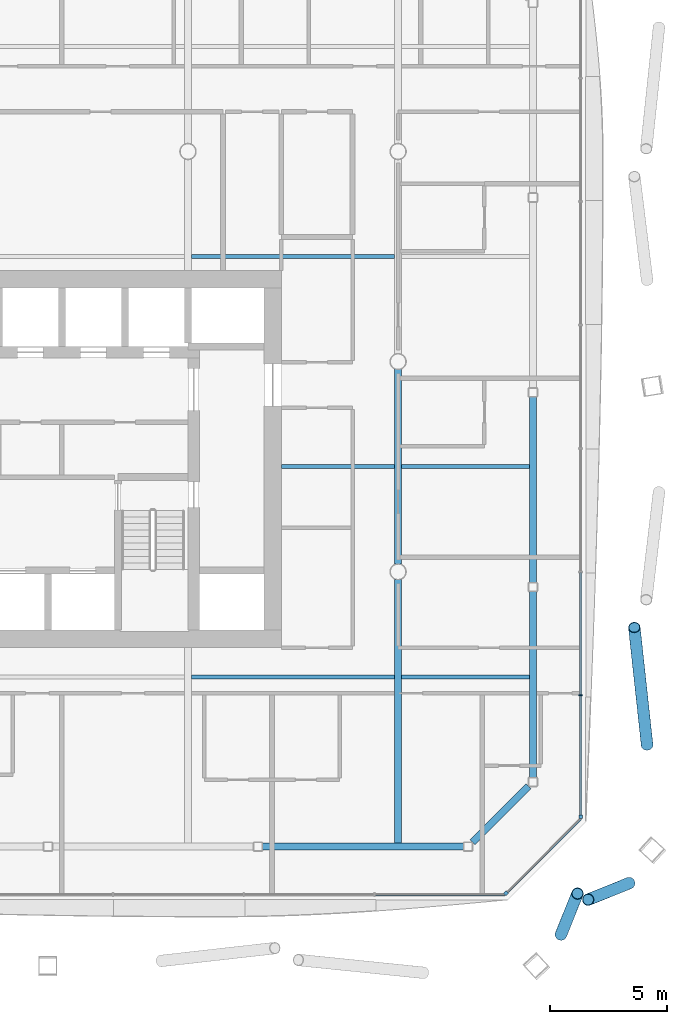
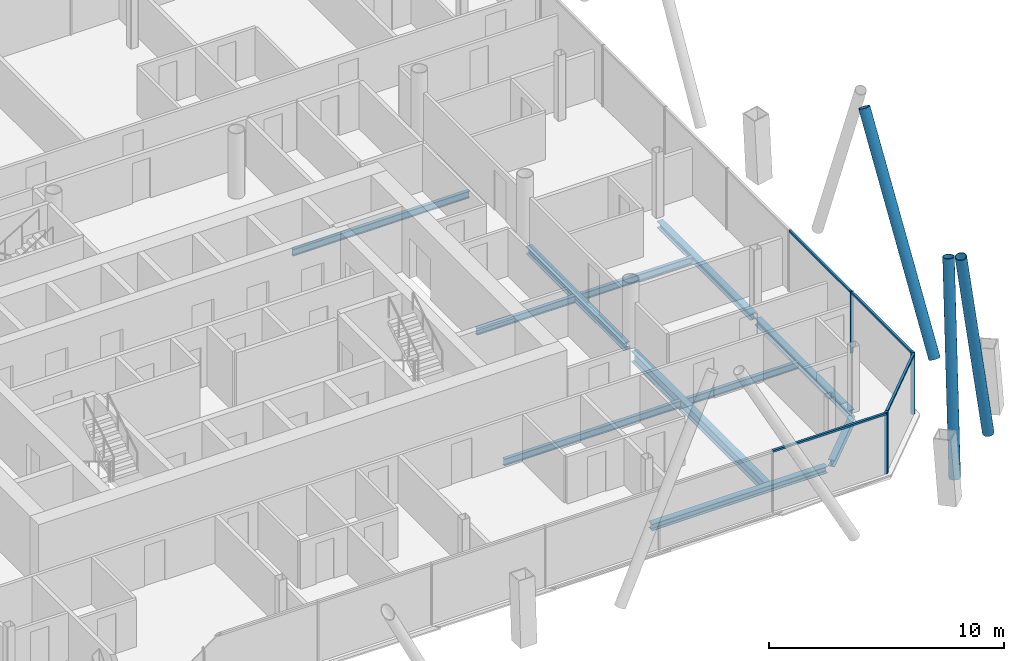
# One storey, part 7 of 23: 11 beams, 10 members, 3 elements without a shape of their own.
"""IFC4 building model written with IfcOpenShell, lengths in metres."""

from ifc_helpers import new_model, si_unit, direction, frame, origin, origin_2d, place, context, subcontext, project, spatial, rectangle, hollow_circle, i_section, extrude, material, material_profile, profile_set, type_object, element, aggregate, save


model = new_model("IFC4")

# Units and contexts
model_context = context("Model", 3, precision=1e-05, world=origin(), true_north=direction((0.0, 1.0)))
body_context = subcontext(model_context, "Body", "Model", "MODEL_VIEW")
ifc_project = project(units=[si_unit("LENGTHUNIT", "METRE"), si_unit("AREAUNIT", "SQUARE_METRE"), si_unit("VOLUMEUNIT", "CUBIC_METRE"), si_unit("PLANEANGLEUNIT", "RADIAN"), si_unit("MASSUNIT", "GRAM", prefix="KILO")], contexts=[model_context])

# Site, building, storey
site_placement = place(None, origin())
site = spatial("IfcSite", under=ifc_project, at=site_placement, CompositionType="ELEMENT")
building_placement = place(site_placement, origin())
building = spatial("IfcBuilding", under=site, at=building_placement, Name="Tskaro Facet Tower", CompositionType="ELEMENT")
storey_placement = place(building_placement, frame((0.0, 0.0, 131.699951171875)))
storey = spatial("IfcBuildingStorey", under=building, at=storey_placement, Name="L31", CompositionType="ELEMENT", Elevation=131.699951171875)

# Members
ifc_material_1 = material(Name="Steel S355J2H", Category="steel")
ifc_material_profile_1 = material_profile(ifc_material_1, hollow_circle(Radius=0.25390625, WallThickness=0.02490234375, at=origin_2d()), Name="CHS 508x25")
ifc_profile_set_1 = profile_set([ifc_material_profile_1], Name="Steel S355J2H")
member_type_1 = type_object("IfcMemberType", Name="CHS 508x25 brace", PredefinedType="BRACE", material=ifc_profile_set_1)
for number, where, z_axis, x_axis, name in (
    (1, (24.9775390625, -24.533203125, 0.0), (0.068084859073, 0.169117800657, 0.983241385147), (-0.927646421984, 0.373459657501, 0.0), "CHS 508x25 XB03A/3"),
    (2, (27.892333984375, -22.3369140625, 0.0), (-0.169094939278, -0.068085130039, 0.983245298274), (0.373504384444, -0.927628414184, 0.0), "CHS 508x25 XB03B/3"),
):
    element("IfcMember", number, at=place(storey_placement, frame(where, z_axis=z_axis, x_axis=x_axis)), inside=storey, type_object=member_type_1, Name=name, PredefinedType="BRACE", context=body_context, shape_type="SweptSolid", body=[
        extrude(hollow_circle(Radius=0.25390625, WallThickness=0.02490234375, at=origin_2d()), origin(), (0.0, 0.0, 1.0), 10.373779296875),
    ])
member_1_placement = place(storey_placement, frame((28.665283203125, -16.417236328125, 0.0), z_axis=(-0.048109528617, 0.44203309315, 0.895707663145), x_axis=(-0.994129364585, -0.108197996611, 0.0)))
element("IfcMember", 3, at=member_1_placement, inside=storey, type_object=member_type_1, Name="CHS 508x25 XB04A/3", PredefinedType="BRACE", context=body_context, shape_type="SweptSolid", body=[
    extrude(hollow_circle(Radius=0.25390625, WallThickness=0.02490234375, at=origin_2d()), origin(), (0.0, 0.0, 1.0), 11.3876953125),
])

# Curtain wall, member
ifc_material_2 = material(Name="Bronze anodised aluminium 6063-T6", Category="aluminium")
curtain_wall_type = type_object("IfcCurtainWallType", Name="Bronze hotel curtain wall (FW2)", PredefinedType="NOTDEFINED", material=ifc_material_2)
curtain_wall_1_placement = place(storey_placement, origin())
curtain_wall_1 = element("IfcCurtainWall", 4, at=curtain_wall_1_placement, inside=storey, type_object=curtain_wall_type, Name="FW2 south-east facet L31", PredefinedType="NOTDEFINED")
ifc_material_profile_2 = material_profile(ifc_material_2, rectangle(XDim=0.14990234375, YDim=0.14990234375, at=origin_2d()), Name="Corner post 150x150")
ifc_profile_set_2 = profile_set([ifc_material_profile_2], Name="Bronze anodised aluminium 6063-T6")
member_type_2 = type_object("IfcMemberType", Name="FW2 bronze corner post 150x150", PredefinedType="MULLION", material=ifc_profile_set_2)
member_2_placement = place(storey_placement, frame((22.626953125, -22.766845703125, 0.0), z_axis=(0.0, 0.0, 1.0), x_axis=(0.707106781187, 0.707106781187, 0.0)))
member_2 = element("IfcMember", 5, at=member_2_placement, type_object=member_type_2, Name="FW2 south-east corner post", PredefinedType="MULLION", context=body_context, shape_type="SweptSolid", body=[
    extrude(rectangle(XDim=0.14990234375, YDim=0.14990234375, at=origin_2d()), origin(), (0.0, 0.0, 1.0), 3.199951171875),
])

# Curtain wall, members
curtain_wall_2_placement = place(storey_placement, origin())
curtain_wall_2 = element("IfcCurtainWall", 6, at=curtain_wall_2_placement, inside=storey, type_object=curtain_wall_type, Name="FW2 east facet L31", PredefinedType="NOTDEFINED")
member_3_placement = place(storey_placement, frame((25.820068359375, -19.4990234375, 0.0), z_axis=(0.0, 0.0, 1.0), x_axis=(0.0, 1.0, 0.0)))
member_3 = element("IfcMember", 7, at=member_3_placement, type_object=member_type_2, Name="FW2 east corner post", PredefinedType="MULLION", context=body_context, shape_type="SweptSolid", body=[
    extrude(rectangle(XDim=0.14990234375, YDim=0.14990234375, at=origin_2d()), origin(), (0.0, 0.0, 1.0), 3.199951171875),
])
ifc_material_profile_3 = material_profile(ifc_material_2, rectangle(XDim=0.06005859375, YDim=0.14990234375, at=origin_2d()), Name="Mullion 60x150")
ifc_profile_set_3 = profile_set([ifc_material_profile_3], Name="Bronze anodised aluminium 6063-T6")
member_type_3 = type_object("IfcMemberType", Name="FW2 bronze mullion 60x150", PredefinedType="MULLION", material=ifc_profile_set_3)
member_4_placement = place(storey_placement, frame((25.820068359375, -14.288818359375, 0.0), z_axis=(0.0, 0.0, 1.0), x_axis=(0.0, 1.0, 0.0)))
member_4 = element("IfcMember", 8, at=member_4_placement, type_object=member_type_3, Name="FW2 east mullion 1", PredefinedType="MULLION", context=body_context, shape_type="SweptSolid", body=[
    extrude(rectangle(XDim=0.06005859375, YDim=0.14990234375, at=origin_2d()), origin(), (0.0, 0.0, 1.0), 3.199951171875),
])

# Curtain wall, member
curtain_wall_3_placement = place(storey_placement, origin())
curtain_wall_3 = element("IfcCurtainWall", 9, at=curtain_wall_3_placement, inside=storey, type_object=curtain_wall_type, Name="FW2 south facet L31", PredefinedType="NOTDEFINED")
ifc_material_profile_4 = material_profile(ifc_material_2, rectangle(XDim=0.110107421875, YDim=0.10009765625, at=origin_2d()), Name="Transom 110x100")
ifc_profile_set_4 = profile_set([ifc_material_profile_4], Name="Bronze anodised aluminium 6063-T6")
member_type_4 = type_object("IfcMemberType", Name="FW2 bronze transom 110x100", PredefinedType="USERDEFINED", material=ifc_profile_set_4)
member_5_placement = place(storey_placement, frame((17.011474609375, -22.820068359375, 3.150146484375), z_axis=(1.0, 0.0, 0.0), x_axis=(0.0, 1.0, 0.0)))
member_5 = element("IfcMember", 10, at=member_5_placement, type_object=member_type_4, Name="FW2 south transom 7.1", ObjectType="TRANSOM", PredefinedType="USERDEFINED", context=body_context, shape_type="SweptSolid", body=[
    extrude(rectangle(XDim=0.110107421875, YDim=0.10009765625, at=origin_2d()), origin(), (0.0, 0.0, 1.0), 5.5625),
])
aggregate(curtain_wall_3, [member_5])

# Member
member_6_placement = place(storey_placement, frame((22.68017578125, -22.7138671875, 3.150146484375), z_axis=(0.707106781187, 0.707106781187, 0.0), x_axis=(-0.707106781187, 0.707106781187, 0.0)))
member_6 = element("IfcMember", 11, at=member_6_placement, type_object=member_type_4, Name="FW2 south-east transom 1.1", ObjectType="TRANSOM", PredefinedType="USERDEFINED", context=body_context, shape_type="SweptSolid", body=[
    extrude(rectangle(XDim=0.110107421875, YDim=0.10009765625, at=origin_2d()), origin(), (0.0, 0.0, 1.0), 4.4404296875),
])

aggregate(curtain_wall_1, [member_2, member_6])

member_7_placement = place(storey_placement, frame((25.820068359375, -19.424072265625, 3.150146484375), z_axis=(0.0, 1.0, 0.0), x_axis=(-1.0, 0.0, 0.0)))
member_7 = element("IfcMember", 12, at=member_7_placement, type_object=member_type_4, Name="FW2 east transom 1.1", ObjectType="TRANSOM", PredefinedType="USERDEFINED", context=body_context, shape_type="SweptSolid", body=[
    extrude(rectangle(XDim=0.110107421875, YDim=0.10009765625, at=origin_2d()), origin(), (0.0, 0.0, 1.0), 5.105224609375),
])

member_8_placement = place(storey_placement, frame((25.820068359375, -14.2587890625, 3.150146484375), z_axis=(0.0, 1.0, 0.0), x_axis=(-1.0, 0.0, 0.0)))
member_8 = element("IfcMember", 13, at=member_8_placement, type_object=member_type_4, Name="FW2 east transom 2.1", ObjectType="TRANSOM", PredefinedType="USERDEFINED", context=body_context, shape_type="SweptSolid", body=[
    extrude(rectangle(XDim=0.110107421875, YDim=0.10009765625, at=origin_2d()), origin(), (0.0, 0.0, 1.0), 5.22509765625),
])

aggregate(curtain_wall_2, [member_3, member_4, member_7, member_8])

# Beams
ifc_material_3 = material(Name="Steel S355J2", Category="steel")
ifc_material_profile_5 = material_profile(ifc_material_3, i_section(OverallWidth=0.300048828125, OverallDepth=0.340087890625, WebThickness=0.011962890625, FlangeThickness=0.021484375, FilletRadius=0.027099609375, at=origin_2d()), Name="HE 340 B")
ifc_profile_set_5 = profile_set([ifc_material_profile_5], Name="Steel S355J2")
beam_type_1 = type_object("IfcBeamType", Name="HE 340 B ring beam", PredefinedType="BEAM", material=ifc_profile_set_5)
beam_1_placement = place(storey_placement, frame((12.179931640625, -20.77392578125, -0.31005859375), z_axis=(1.0, 0.0, 0.0), x_axis=(0.0, 1.0, 0.0)))
element("IfcBeam", 14, at=beam_1_placement, inside=storey, type_object=beam_type_1, Name="HE 340 B EB4-3", PredefinedType="BEAM", context=body_context, shape_type="SweptSolid", body=[
    extrude(i_section(OverallWidth=0.300048828125, OverallDepth=0.340087890625, WebThickness=0.011962890625, FlangeThickness=0.021484375, FilletRadius=0.027099609375, at=origin_2d()), origin(), (0.0, 0.0, 1.0), 8.63916015625),
])
beam_2_placement = place(storey_placement, frame((21.184814453125, -20.588134765625, -0.31005859375), z_axis=(0.707106781187, 0.707106781187, 0.0), x_axis=(-0.707106781187, 0.707106781187, 0.0)))
element("IfcBeam", 15, at=beam_2_placement, inside=storey, type_object=beam_type_1, Name="HE 340 B EB5-3", PredefinedType="BEAM", context=body_context, shape_type="SweptSolid", body=[
    extrude(i_section(OverallWidth=0.300048828125, OverallDepth=0.340087890625, WebThickness=0.011962890625, FlangeThickness=0.021484375, FilletRadius=0.027099609375, at=origin_2d()), origin(), (0.0, 0.0, 1.0), 3.39892578125),
])
beam_3_placement = place(storey_placement, frame((23.77392578125, -17.819091796875, -0.31005859375), z_axis=(0.0, 1.0, 0.0), x_axis=(-1.0, 0.0, 0.0)))
element("IfcBeam", 16, at=beam_3_placement, inside=storey, type_object=beam_type_1, Name="HE 340 B EB6-3", PredefinedType="BEAM", context=body_context, shape_type="SweptSolid", body=[
    extrude(i_section(OverallWidth=0.300048828125, OverallDepth=0.340087890625, WebThickness=0.011962890625, FlangeThickness=0.021484375, FilletRadius=0.027099609375, at=origin_2d()), origin(), (0.0, 0.0, 1.0), 7.982177734375),
])
beam_4_placement = place(storey_placement, frame((23.77392578125, -9.47705078125, -0.31005859375), z_axis=(0.0, 1.0, 0.0), x_axis=(-1.0, 0.0, 0.0)))
element("IfcBeam", 17, at=beam_4_placement, inside=storey, type_object=beam_type_1, Name="HE 340 B EB7-3", PredefinedType="BEAM", context=body_context, shape_type="SweptSolid", body=[
    extrude(i_section(OverallWidth=0.300048828125, OverallDepth=0.340087890625, WebThickness=0.011962890625, FlangeThickness=0.021484375, FilletRadius=0.027099609375, at=origin_2d()), origin(), (0.0, 0.0, 1.0), 7.98095703125),
])
ifc_material_profile_6 = material_profile(ifc_material_3, i_section(OverallWidth=0.300048828125, OverallDepth=0.389892578125, WebThickness=0.010986328125, FlangeThickness=0.01904296875, FilletRadius=0.027099609375, at=origin_2d()), Name="HE 400 A")
ifc_profile_set_6 = profile_set([ifc_material_profile_6], Name="Steel S355J2")
beam_type_2 = type_object("IfcBeamType", Name="HE 400 A girder", PredefinedType="BEAM", material=ifc_profile_set_6)
beam_5_placement = place(storey_placement, frame((18.0, -8.674560546875, -0.3349609375), z_axis=(0.0, 1.0, 0.0), x_axis=(-1.0, 0.0, 0.0)))
element("IfcBeam", 18, at=beam_5_placement, inside=storey, type_object=beam_type_2, Name="HE 400 A GB6-2-3", PredefinedType="BEAM", context=body_context, shape_type="SweptSolid", body=[
    extrude(i_section(OverallWidth=0.300048828125, OverallDepth=0.389892578125, WebThickness=0.010986328125, FlangeThickness=0.01904296875, FilletRadius=0.027099609375, at=origin_2d()), origin(), (0.0, 0.0, 1.0), 8.34912109375),
])
ifc_material_profile_7 = material_profile(ifc_material_3, i_section(OverallWidth=0.300048828125, OverallDepth=0.5400390625, WebThickness=0.012451171875, FlangeThickness=0.02392578125, FilletRadius=0.027099609375, at=origin_2d()), Name="HE 550 A")
ifc_profile_set_7 = profile_set([ifc_material_profile_7], Name="Steel S355J2")
beam_type_3 = type_object("IfcBeamType", Name="HE 550 A long girder", PredefinedType="BEAM", material=ifc_profile_set_7)
beam_6_placement = place(storey_placement, frame((18.0, -20.6240234375, -0.409912109375), z_axis=(0.0, 1.0, 0.0), x_axis=(-1.0, 0.0, 0.0)))
element("IfcBeam", 19, at=beam_6_placement, inside=storey, type_object=beam_type_3, Name="HE 550 A LGB6-1-3", PredefinedType="BEAM", context=body_context, shape_type="SweptSolid", body=[
    extrude(i_section(OverallWidth=0.300048828125, OverallDepth=0.5400390625, WebThickness=0.012451171875, FlangeThickness=0.02392578125, FilletRadius=0.027099609375, at=origin_2d()), origin(), (0.0, 0.0, 1.0), 11.298583984375),
])
ifc_material_profile_8 = material_profile(ifc_material_3, i_section(OverallWidth=0.169921875, OverallDepth=0.360107421875, WebThickness=0.008056640625, FlangeThickness=0.0126953125, FilletRadius=0.01806640625, at=origin_2d()), Name="IPE 360")
ifc_profile_set_8 = profile_set([ifc_material_profile_8], Name="Steel S355J2")
beam_type_4 = type_object("IfcBeamType", Name="IPE 360 secondary beam", PredefinedType="BEAM", material=ifc_profile_set_8)
beam_7_placement = place(storey_placement, frame((9.14990234375, -13.5, -0.320068359375), z_axis=(1.0, 0.0, 0.0), x_axis=(0.0, 1.0, 0.0)))
element("IfcBeam", 20, at=beam_7_placement, inside=storey, type_object=beam_type_4, Name="IPE 360 SB2a-4-3", PredefinedType="BEAM", context=body_context, shape_type="SweptSolid", body=[
    extrude(i_section(OverallWidth=0.169921875, OverallDepth=0.360107421875, WebThickness=0.008056640625, FlangeThickness=0.0126953125, FilletRadius=0.01806640625, at=origin_2d()), origin(), (0.0, 0.0, 1.0), 8.7001953125),
])
beam_8_placement = place(storey_placement, frame((18.14990234375, -13.5, -0.320068359375), z_axis=(1.0, 0.0, 0.0), x_axis=(0.0, 1.0, 0.0)))
element("IfcBeam", 21, at=beam_8_placement, inside=storey, type_object=beam_type_4, Name="IPE 360 SB2a-5-3", PredefinedType="BEAM", context=body_context, shape_type="SweptSolid", body=[
    extrude(i_section(OverallWidth=0.169921875, OverallDepth=0.360107421875, WebThickness=0.008056640625, FlangeThickness=0.0126953125, FilletRadius=0.01806640625, at=origin_2d()), origin(), (0.0, 0.0, 1.0), 5.47412109375),
])
beam_9_placement = place(storey_placement, frame((13.0, -4.5, -0.320068359375), z_axis=(1.0, 0.0, 0.0), x_axis=(0.0, 1.0, 0.0)))
element("IfcBeam", 22, at=beam_9_placement, inside=storey, type_object=beam_type_4, Name="IPE 360 SB3a-2-3", PredefinedType="BEAM", context=body_context, shape_type="SweptSolid", body=[
    extrude(i_section(OverallWidth=0.169921875, OverallDepth=0.360107421875, WebThickness=0.008056640625, FlangeThickness=0.0126953125, FilletRadius=0.01806640625, at=origin_2d()), origin(), (0.0, 0.0, 1.0), 4.85009765625),
])
beam_10_placement = place(storey_placement, frame((18.14990234375, -4.5, -0.320068359375), z_axis=(1.0, 0.0, 0.0), x_axis=(0.0, 1.0, 0.0)))
element("IfcBeam", 23, at=beam_10_placement, inside=storey, type_object=beam_type_4, Name="IPE 360 SB3a-3-3", PredefinedType="BEAM", context=body_context, shape_type="SweptSolid", body=[
    extrude(i_section(OverallWidth=0.169921875, OverallDepth=0.360107421875, WebThickness=0.008056640625, FlangeThickness=0.0126953125, FilletRadius=0.01806640625, at=origin_2d()), origin(), (0.0, 0.0, 1.0), 5.47412109375),
])
beam_11_placement = place(storey_placement, frame((9.14990234375, 4.5, -0.320068359375), z_axis=(1.0, 0.0, 0.0), x_axis=(0.0, 1.0, 0.0)))
element("IfcBeam", 24, at=beam_11_placement, inside=storey, type_object=beam_type_4, Name="IPE 360 SB4a-4-3", PredefinedType="BEAM", context=body_context, shape_type="SweptSolid", body=[
    extrude(i_section(OverallWidth=0.169921875, OverallDepth=0.360107421875, WebThickness=0.008056640625, FlangeThickness=0.0126953125, FilletRadius=0.01806640625, at=origin_2d()), origin(), (0.0, 0.0, 1.0), 8.7001953125),
])

save(model, "model.ifc")
